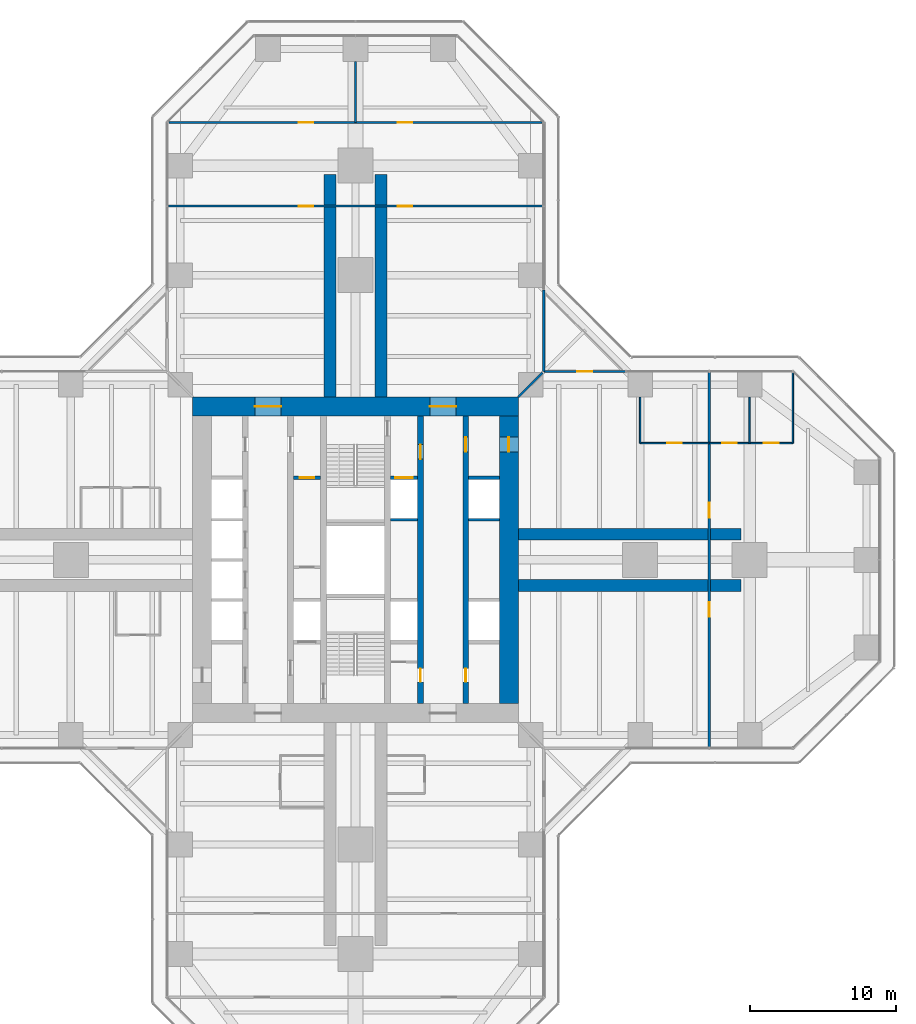
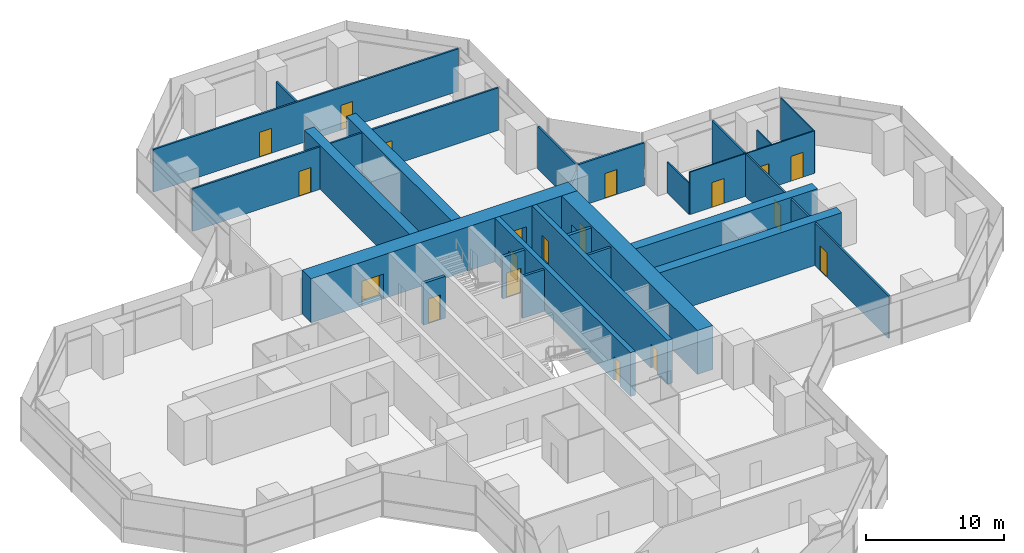
# One storey, part 19 of 22: 25 walls, 19 doors, 19 openings.
"""IFC4 building model written with IfcOpenShell, lengths in metres."""

from ifc_helpers import new_model, si_unit, direction, frame, frame_2d, origin, place, context, subcontext, project, spatial, rectangle, extrude, material, layer, layer_set, type_object, element, fill, save


model = new_model("IFC4")

# Units and contexts
model_context = context("Model", 3, precision=1e-05, world=origin(), true_north=direction((0.0, 1.0)))
body_context = subcontext(model_context, "Body", "Model", "MODEL_VIEW")
ifc_project = project(units=[si_unit("LENGTHUNIT", "METRE"), si_unit("AREAUNIT", "SQUARE_METRE"), si_unit("VOLUMEUNIT", "CUBIC_METRE"), si_unit("PLANEANGLEUNIT", "RADIAN"), si_unit("MASSUNIT", "GRAM", prefix="KILO")], contexts=[model_context])

# Site, building, storey
site_placement = place(None, origin())
site = spatial("IfcSite", under=ifc_project, at=site_placement, CompositionType="ELEMENT")
building_placement = place(site_placement, origin())
building = spatial("IfcBuilding", under=site, at=building_placement, Name="Mizan Broadcast Tower", CompositionType="ELEMENT")
storey_placement = place(building_placement, frame((0.0, 0.0, 90.300048828125)))
storey = spatial("IfcBuildingStorey", under=building, at=storey_placement, Name="L19", CompositionType="ELEMENT", Elevation=90.300048828125)

# Wall, openings, doors
ifc_material_1 = material(Name="Concrete C70/85", Category="concrete")
ifc_layer_1 = layer(ifc_material_1, 0.39990234375)
ifc_layer_set_1 = layer_set([ifc_layer_1], Name="Concrete C70/85")
wall_type_1 = type_object("IfcWallType", Name="CORE INTERNAL WALL 400", PredefinedType="SHEAR", material=ifc_layer_set_1)
wall_1_placement = place(storey_placement, frame((7.550048828125, 9.85009765625, 0.0), z_axis=(0.0, 0.0, 1.0), x_axis=(0.0, -1.0, 0.0)))
wall_1 = element("IfcWall", 1, at=wall_1_placement, inside=storey, type_object=wall_type_1, Name="Core wall CORE/XW1E", PredefinedType="SHEAR", context=body_context, shape_type="SweptSolid", body=[
    extrude(rectangle(XDim=19.7001953125, YDim=0.39990234375, at=frame_2d((9.85009765625, 0.0))), origin(), (0.0, 0.0, 1.0), 3.89990234375),
])
opening_1_placement = place(wall_1_placement, frame((1.449951171875, 0.0, 0.0)))
opening_1 = element("IfcOpeningElement", 2, at=opening_1_placement, cuts=wall_1, Name="Opening D10F", PredefinedType="OPENING", context=body_context, shape_type="SweptSolid", body=[
    extrude(rectangle(XDim=1.0, YDim=2.199951171875, at=frame_2d((0.5, 1.10009765625))), frame((0.0, 0.2099609375, 0.0), z_axis=(0.0, -1.0, 0.0), x_axis=(1.0, 0.0, 0.0)), (0.0, 0.0, 1.0), 0.419921875),
])
opening_2_placement = place(wall_1_placement, frame((17.300048828125, 0.0, 0.0)))
opening_2 = element("IfcOpeningElement", 3, at=opening_2_placement, cuts=wall_1, Name="Opening D09", PredefinedType="OPENING", context=body_context, shape_type="SweptSolid", body=[
    extrude(rectangle(XDim=0.89990234375, YDim=2.10009765625, at=frame_2d((0.449951171875, 1.050048828125))), frame((0.0, 0.2099609375, 0.0), z_axis=(0.0, -1.0, 0.0), x_axis=(1.0, 0.0, 0.0)), (0.0, 0.0, 1.0), 0.419921875),
])
ifc_material_2 = material(Name="Steel door leaf in steel frame", Category="steel")
door_type_1 = type_object("IfcDoorType", Name="FIRE DOOR 1000 FD90", OperationType="SINGLE_SWING_LEFT", PredefinedType="DOOR", material=ifc_material_2)
door_1_placement = place(opening_1_placement, origin())
door_1 = element("IfcDoor", 4, at=door_1_placement, inside=storey, type_object=door_type_1, Name="East core passage door", OperationType="SINGLE_SWING_LEFT", OverallHeight=2.199951171875, OverallWidth=1.0, PredefinedType="DOOR", context=body_context, shape_type="SweptSolid", body=[
    extrude(rectangle(XDim=1.0, YDim=2.199951171875, at=frame_2d((0.5, 1.10009765625))), frame((0.0, 0.02490234375, 0.0), z_axis=(0.0, -1.0, 0.0), x_axis=(1.0, 0.0, 0.0)), (0.0, 0.0, 1.0), 0.050048828125),
])
fill(opening_1, door_1)
ifc_material_3 = material(Name="Timber door leaf in aluminium frame", Category="wood")
door_type_2 = type_object("IfcDoorType", Name="TOILET DOOR 900", OperationType="SINGLE_SWING_LEFT", PredefinedType="DOOR", material=ifc_material_3)
door_2_placement = place(opening_2_placement, origin())
door_2 = element("IfcDoor", 5, at=door_2_placement, inside=storey, type_object=door_type_2, Name="Female WC door", OperationType="SINGLE_SWING_RIGHT", OverallHeight=2.10009765625, OverallWidth=0.89990234375, PredefinedType="DOOR", context=body_context, shape_type="SweptSolid", body=[
    extrude(rectangle(XDim=0.89990234375, YDim=2.10009765625, at=frame_2d((0.449951171875, 1.050048828125))), frame((0.0, 0.02490234375, 0.0), z_axis=(0.0, -1.0, 0.0), x_axis=(1.0, 0.0, 0.0)), (0.0, 0.0, 1.0), 0.050048828125),
])
fill(opening_2, door_2)

wall_2_placement = place(storey_placement, frame((4.449951171875, 9.85009765625, 0.0), z_axis=(0.0, 0.0, 1.0), x_axis=(0.0, -1.0, 0.0)))
wall_2 = element("IfcWall", 6, at=wall_2_placement, inside=storey, type_object=wall_type_1, Name="Core wall CORE/XWHE", PredefinedType="SHEAR", context=body_context, shape_type="SweptSolid", body=[
    extrude(rectangle(XDim=19.7001953125, YDim=0.39990234375, at=frame_2d((9.85009765625, 0.0))), origin(), (0.0, 0.0, 1.0), 3.89990234375),
])
opening_3_placement = place(wall_2_placement, frame((1.949951171875, 0.0, 0.0)))
opening_3 = element("IfcOpeningElement", 7, at=opening_3_placement, cuts=wall_2, Name="Opening D10F", PredefinedType="OPENING", context=body_context, shape_type="SweptSolid", body=[
    extrude(rectangle(XDim=1.0, YDim=2.199951171875, at=frame_2d((0.5, 1.10009765625))), frame((0.0, 0.2099609375, 0.0), z_axis=(0.0, -1.0, 0.0), x_axis=(1.0, 0.0, 0.0)), (0.0, 0.0, 1.0), 0.419921875),
])
opening_4_placement = place(wall_2_placement, frame((17.300048828125, 0.0, 0.0)))
opening_4 = element("IfcOpeningElement", 8, at=opening_4_placement, cuts=wall_2, Name="Opening D09", PredefinedType="OPENING", context=body_context, shape_type="SweptSolid", body=[
    extrude(rectangle(XDim=0.89990234375, YDim=2.10009765625, at=frame_2d((0.449951171875, 1.050048828125))), frame((0.0, 0.2099609375, 0.0), z_axis=(0.0, -1.0, 0.0), x_axis=(1.0, 0.0, 0.0)), (0.0, 0.0, 1.0), 0.419921875),
])
door_3_placement = place(opening_3_placement, origin())
door_3 = element("IfcDoor", 9, at=door_3_placement, inside=storey, type_object=door_type_1, Name="Firefighting lobby B door", OperationType="SINGLE_SWING_LEFT", OverallHeight=2.199951171875, OverallWidth=1.0, PredefinedType="DOOR", context=body_context, shape_type="SweptSolid", body=[
    extrude(rectangle(XDim=1.0, YDim=2.199951171875, at=frame_2d((0.5, 1.10009765625))), frame((0.0, 0.02490234375, 0.0), z_axis=(0.0, -1.0, 0.0), x_axis=(1.0, 0.0, 0.0)), (0.0, 0.0, 1.0), 0.050048828125),
])
fill(opening_3, door_3)
door_4_placement = place(opening_4_placement, origin())
door_4 = element("IfcDoor", 10, at=door_4_placement, inside=storey, type_object=door_type_2, Name="Cleaner's store door", OperationType="SINGLE_SWING_RIGHT", OverallHeight=2.10009765625, OverallWidth=0.89990234375, PredefinedType="DOOR", context=body_context, shape_type="SweptSolid", body=[
    extrude(rectangle(XDim=0.89990234375, YDim=2.10009765625, at=frame_2d((0.449951171875, 1.050048828125))), frame((0.0, 0.02490234375, 0.0), z_axis=(0.0, -1.0, 0.0), x_axis=(1.0, 0.0, 0.0)), (0.0, 0.0, 1.0), 0.050048828125),
])
fill(opening_4, door_4)

ifc_material_4 = material(Name="Concrete C70/85", Category="concrete")
ifc_layer_2 = layer(ifc_material_4, 1.300048828125)
ifc_layer_set_2 = layer_set([ifc_layer_2], Name="Concrete C70/85")
wall_type_2 = type_object("IfcWallType", Name="CORE WALL 1300", PredefinedType="SHEAR", material=ifc_layer_set_2)
wall_3_placement = place(storey_placement, frame((-11.14990234375, 10.5, 0.0), z_axis=(0.0, 0.0, 1.0), x_axis=(1.0, 0.0, 0.0)))
wall_3 = element("IfcWall", 11, at=wall_3_placement, inside=storey, type_object=wall_type_2, Name="Core wall N L19", PredefinedType="SHEAR", context=body_context, shape_type="SweptSolid", body=[
    extrude(rectangle(XDim=22.2998046875, YDim=1.300048828125, at=frame_2d((11.14990234375, 0.0))), origin(), (0.0, 0.0, 1.0), 3.89990234375),
])
opening_5_placement = place(wall_3_placement, frame((4.25, 0.0, 0.0)))
opening_5 = element("IfcOpeningElement", 12, at=opening_5_placement, cuts=wall_3, Name="Opening D18F", PredefinedType="OPENING", context=body_context, shape_type="SweptSolid", body=[
    extrude(rectangle(XDim=1.800048828125, YDim=2.199951171875, at=frame_2d((0.89990234375, 1.10009765625))), frame((0.0, 0.659912109375, 0.0), z_axis=(0.0, -1.0, 0.0), x_axis=(1.0, 0.0, 0.0)), (0.0, 0.0, 1.0), 1.320068359375),
])
opening_6_placement = place(wall_3_placement, frame((16.25, 0.0, 0.0)))
opening_6 = element("IfcOpeningElement", 13, at=opening_6_placement, cuts=wall_3, Name="Opening D18F", PredefinedType="OPENING", context=body_context, shape_type="SweptSolid", body=[
    extrude(rectangle(XDim=1.800048828125, YDim=2.199951171875, at=frame_2d((0.89990234375, 1.10009765625))), frame((0.0, 0.659912109375, 0.0), z_axis=(0.0, -1.0, 0.0), x_axis=(1.0, 0.0, 0.0)), (0.0, 0.0, 1.0), 1.320068359375),
])
ifc_material_5 = material(Name="Steel door leaf in steel frame", Category="steel")
door_type_3 = type_object("IfcDoorType", Name="LOBBY DOUBLE DOOR 1800 FD90", OperationType="DOUBLE_DOOR_DOUBLE_SWING", PredefinedType="DOOR", material=ifc_material_5)
door_5_placement = place(opening_5_placement, origin())
door_5 = element("IfcDoor", 14, at=door_5_placement, inside=storey, type_object=door_type_3, Name="West lift lobby north door", OperationType="DOUBLE_DOOR_DOUBLE_SWING", OverallHeight=2.199951171875, OverallWidth=1.800048828125, PredefinedType="DOOR", context=body_context, shape_type="SweptSolid", body=[
    extrude(rectangle(XDim=1.800048828125, YDim=2.199951171875, at=frame_2d((0.89990234375, 1.10009765625))), frame((0.0, 0.02490234375, 0.0), z_axis=(0.0, -1.0, 0.0), x_axis=(1.0, 0.0, 0.0)), (0.0, 0.0, 1.0), 0.050048828125),
])
fill(opening_5, door_5)
door_6_placement = place(opening_6_placement, origin())
door_6 = element("IfcDoor", 15, at=door_6_placement, inside=storey, type_object=door_type_3, Name="East lift lobby north door", OperationType="DOUBLE_DOOR_DOUBLE_SWING", OverallHeight=2.199951171875, OverallWidth=1.800048828125, PredefinedType="DOOR", context=body_context, shape_type="SweptSolid", body=[
    extrude(rectangle(XDim=1.800048828125, YDim=2.199951171875, at=frame_2d((0.89990234375, 1.10009765625))), frame((0.0, 0.02490234375, 0.0), z_axis=(0.0, -1.0, 0.0), x_axis=(1.0, 0.0, 0.0)), (0.0, 0.0, 1.0), 0.050048828125),
])
fill(opening_6, door_6)

# Wall, opening, door
wall_4_placement = place(storey_placement, frame((10.5, -9.85009765625, 0.0), z_axis=(0.0, 0.0, 1.0), x_axis=(0.0, 1.0, 0.0)))
wall_4 = element("IfcWall", 16, at=wall_4_placement, inside=storey, type_object=wall_type_2, Name="Core wall E L19", PredefinedType="SHEAR", context=body_context, shape_type="SweptSolid", body=[
    extrude(rectangle(XDim=19.7001953125, YDim=1.300048828125, at=frame_2d((9.85009765625, 0.0))), origin(), (0.0, 0.0, 1.0), 3.89990234375),
])
opening_7_placement = place(wall_4_placement, frame((17.25, 0.0, 0.0)))
opening_7 = element("IfcOpeningElement", 17, at=opening_7_placement, cuts=wall_4, Name="Opening D10F", PredefinedType="OPENING", context=body_context, shape_type="SweptSolid", body=[
    extrude(rectangle(XDim=1.0, YDim=2.199951171875, at=frame_2d((0.5, 1.10009765625))), frame((0.0, 0.659912109375, 0.0), z_axis=(0.0, -1.0, 0.0), x_axis=(1.0, 0.0, 0.0)), (0.0, 0.0, 1.0), 1.320068359375),
])
door_7_placement = place(opening_7_placement, origin())
door_7 = element("IfcDoor", 18, at=door_7_placement, inside=storey, type_object=door_type_1, Name="East core passage arm door", OperationType="SINGLE_SWING_RIGHT", OverallHeight=2.199951171875, OverallWidth=1.0, PredefinedType="DOOR", context=body_context, shape_type="SweptSolid", body=[
    extrude(rectangle(XDim=1.0, YDim=2.199951171875, at=frame_2d((0.5, 1.10009765625))), frame((0.0, 0.02490234375, 0.0), z_axis=(0.0, -1.0, 0.0), x_axis=(1.0, 0.0, 0.0)), (0.0, 0.0, 1.0), 0.050048828125),
])
fill(opening_7, door_7)

ifc_material_6 = material(Name="Aluminium framed glazed screen", Category="aluminium")
ifc_layer_3 = layer(ifc_material_6, 0.159912109375)
ifc_layer_set_3 = layer_set([ifc_layer_3], Name="Aluminium framed glazed screen")
wall_type_3 = type_object("IfcWallType", Name="GLAZED SCREEN WALL 160", PredefinedType="SOLIDWALL", material=ifc_layer_set_3)
wall_5_placement = place(storey_placement, frame((18.5, 12.89990234375, 0.0), z_axis=(0.0, 0.0, 1.0), x_axis=(-1.0, 0.0, 0.0)))
wall_5 = element("IfcWall", 19, at=wall_5_placement, inside=storey, type_object=wall_type_3, Name="Winter garden screen L19 E", PredefinedType="SOLIDWALL", context=body_context, shape_type="SweptSolid", body=[
    extrude(rectangle(XDim=5.60009765625, YDim=0.159912109375, at=frame_2d((2.800048828125, 0.0))), origin(), (0.0, 0.0, 1.0), 3.77001953125),
])
opening_8_placement = place(wall_5_placement, frame((2.300048828125, 0.0, 0.0)))
opening_8 = element("IfcOpeningElement", 20, at=opening_8_placement, cuts=wall_5, Name="Opening WGD", PredefinedType="OPENING", context=body_context, shape_type="SweptSolid", body=[
    extrude(rectangle(XDim=1.0, YDim=2.199951171875, at=frame_2d((0.5, 1.10009765625))), frame((0.0, 0.08984375, 0.0), z_axis=(0.0, -1.0, 0.0), x_axis=(1.0, 0.0, 0.0)), (0.0, 0.0, 1.0), 0.179931640625),
])
ifc_material_7 = material(Name="Aluminium framed glazed door", Category="aluminium")
door_type_4 = type_object("IfcDoorType", Name="WINTER GARDEN DOOR 1000 GLAZED", OperationType="SINGLE_SWING_LEFT", PredefinedType="DOOR", material=ifc_material_7)
door_8_placement = place(opening_8_placement, origin())
door_8 = element("IfcDoor", 21, at=door_8_placement, inside=storey, type_object=door_type_4, Name="Winter garden door L19 E", OperationType="SINGLE_SWING_RIGHT", OverallHeight=2.199951171875, OverallWidth=1.0, PredefinedType="DOOR", context=body_context, shape_type="SweptSolid", body=[
    extrude(rectangle(XDim=1.0, YDim=2.199951171875, at=frame_2d((0.5, 1.10009765625))), frame((0.0, 0.02490234375, 0.0), z_axis=(0.0, -1.0, 0.0), x_axis=(1.0, 0.0, 0.0)), (0.0, 0.0, 1.0), 0.050048828125),
])
fill(opening_8, door_8)

# Walls
wall_6_placement = place(storey_placement, frame((12.89990234375, 12.89990234375, 0.0), z_axis=(0.0, 0.0, 1.0), x_axis=(0.0, 1.0, 0.0)))
element("IfcWall", 22, at=wall_6_placement, inside=storey, type_object=wall_type_3, Name="Winter garden screen L19 N", PredefinedType="SOLIDWALL", context=body_context, shape_type="SweptSolid", body=[
    extrude(rectangle(XDim=5.60009765625, YDim=0.159912109375, at=frame_2d((2.800048828125, 0.0))), origin(), (0.0, 0.0, 1.0), 3.77001953125),
])
ifc_material_8 = material(Name="Concrete blockwork", Category="masonry")
ifc_layer_4 = layer(ifc_material_8, 0.199951171875)
ifc_layer_set_4 = layer_set([ifc_layer_4], Name="Concrete blockwork")
wall_type_4 = type_object("IfcWallType", Name="LIFT SHAFT WALL 200", PredefinedType="SOLIDWALL", material=ifc_layer_set_4)
wall_7_placement = place(storey_placement, frame((2.39990234375, 2.75, 0.0), z_axis=(0.0, 0.0, 1.0), x_axis=(1.0, 0.0, 0.0)))
element("IfcWall", 23, at=wall_7_placement, inside=storey, type_object=wall_type_4, Name="Lift shaft wall CORE/SE2-3", PredefinedType="SOLIDWALL", context=body_context, shape_type="SweptSolid", body=[
    extrude(rectangle(XDim=1.85009765625, YDim=0.199951171875, at=frame_2d((0.925048828125, 0.0))), origin(), (0.0, 0.0, 1.0), 3.699951171875),
])
wall_8_placement = place(storey_placement, frame((7.75, 2.75, 0.0), z_axis=(0.0, 0.0, 1.0), x_axis=(1.0, 0.0, 0.0)))
element("IfcWall", 24, at=wall_8_placement, inside=storey, type_object=wall_type_4, Name="Lift shaft wall CORE/SE1-3", PredefinedType="SOLIDWALL", context=body_context, shape_type="SweptSolid", body=[
    extrude(rectangle(XDim=2.10009765625, YDim=0.199951171875, at=frame_2d((1.050048828125, 0.0))), origin(), (0.0, 0.0, 1.0), 3.699951171875),
])

# Wall, opening, door
ifc_material_9 = material(Name="Concrete blockwork", Category="masonry")
ifc_layer_5 = layer(ifc_material_9, 0.25)
ifc_layer_set_5 = layer_set([ifc_layer_5], Name="Concrete blockwork")
wall_type_5 = type_object("IfcWallType", Name="LOBBY ENCLOSURE WALL 250", PredefinedType="SOLIDWALL", material=ifc_layer_set_5)
wall_9_placement = place(storey_placement, frame((-4.25, 5.625, 0.0), z_axis=(0.0, 0.0, 1.0), x_axis=(1.0, 0.0, 0.0)))
wall_9 = element("IfcWall", 25, at=wall_9_placement, inside=storey, type_object=wall_type_5, Name="Lobby enclosure wall CORE/BW2N", PredefinedType="SOLIDWALL", context=body_context, shape_type="SweptSolid", body=[
    extrude(rectangle(XDim=1.85009765625, YDim=0.25, at=frame_2d((0.925048828125, 0.0))), origin(), (0.0, 0.0, 1.0), 3.699951171875),
])
opening_9_placement = place(wall_9_placement, frame((0.425048828125, 0.0, 0.0)))
opening_9 = element("IfcOpeningElement", 26, at=opening_9_placement, cuts=wall_9, Name="Opening D10F", PredefinedType="OPENING", context=body_context, shape_type="SweptSolid", body=[
    extrude(rectangle(XDim=1.0, YDim=2.199951171875, at=frame_2d((0.5, 1.10009765625))), frame((0.0, 0.135009765625, 0.0), z_axis=(0.0, -1.0, 0.0), x_axis=(1.0, 0.0, 0.0)), (0.0, 0.0, 1.0), 0.27001953125),
])
door_9_placement = place(opening_9_placement, origin())
door_9 = element("IfcDoor", 27, at=door_9_placement, inside=storey, type_object=door_type_1, Name="Accessible shower room door", OperationType="SINGLE_SWING_RIGHT", OverallHeight=2.199951171875, OverallWidth=1.0, PredefinedType="DOOR", context=body_context, shape_type="SweptSolid", body=[
    extrude(rectangle(XDim=1.0, YDim=2.199951171875, at=frame_2d((0.5, 1.10009765625))), frame((0.0, 0.02490234375, 0.0), z_axis=(0.0, -1.0, 0.0), x_axis=(1.0, 0.0, 0.0)), (0.0, 0.0, 1.0), 0.050048828125),
])
fill(opening_9, door_9)

wall_10_placement = place(storey_placement, frame((2.39990234375, 5.625, 0.0), z_axis=(0.0, 0.0, 1.0), x_axis=(1.0, 0.0, 0.0)))
wall_10 = element("IfcWall", 28, at=wall_10_placement, inside=storey, type_object=wall_type_5, Name="Lobby enclosure wall CORE/BE2N", PredefinedType="SOLIDWALL", context=body_context, shape_type="SweptSolid", body=[
    extrude(rectangle(XDim=1.85009765625, YDim=0.25, at=frame_2d((0.925048828125, 0.0))), origin(), (0.0, 0.0, 1.0), 3.699951171875),
])
opening_10_placement = place(wall_10_placement, frame((0.324951171875, 0.0, 0.0)))
opening_10 = element("IfcOpeningElement", 29, at=opening_10_placement, cuts=wall_10, Name="Opening LDF", PredefinedType="OPENING", context=body_context, shape_type="SweptSolid", body=[
    extrude(rectangle(XDim=1.199951171875, YDim=2.199951171875, at=frame_2d((0.60009765625, 1.10009765625))), frame((0.0, 0.135009765625, 0.0), z_axis=(0.0, -1.0, 0.0), x_axis=(1.0, 0.0, 0.0)), (0.0, 0.0, 1.0), 0.27001953125),
])
ifc_material_10 = material(Name="Steel door leaf in steel frame", Category="steel")
door_type_5 = type_object("IfcDoorType", Name="FIREFIGHTING LIFT LANDING DOOR 1200", OperationType="SLIDING_TO_LEFT", PredefinedType="DOOR", material=ifc_material_10)
door_10_placement = place(opening_10_placement, origin())
door_10 = element("IfcDoor", 30, at=door_10_placement, inside=storey, type_object=door_type_5, Name="Landing door FF2", OperationType="SLIDING_TO_LEFT", OverallHeight=2.199951171875, OverallWidth=1.199951171875, PredefinedType="DOOR", context=body_context, shape_type="SweptSolid", body=[
    extrude(rectangle(XDim=1.199951171875, YDim=2.199951171875, at=frame_2d((0.60009765625, 1.10009765625))), frame((0.0, 0.02490234375, 0.0), z_axis=(0.0, -1.0, 0.0), x_axis=(1.0, 0.0, 0.0)), (0.0, 0.0, 1.0), 0.050048828125),
])
fill(opening_10, door_10)

# Wall
wall_11_placement = place(storey_placement, frame((7.75, 5.625, 0.0), z_axis=(0.0, 0.0, 1.0), x_axis=(1.0, 0.0, 0.0)))
element("IfcWall", 31, at=wall_11_placement, inside=storey, type_object=wall_type_5, Name="Lobby enclosure wall CORE/BE1N", PredefinedType="SOLIDWALL", context=body_context, shape_type="SweptSolid", body=[
    extrude(rectangle(XDim=2.10009765625, YDim=0.25, at=frame_2d((1.050048828125, 0.0))), origin(), (0.0, 0.0, 1.0), 3.699951171875),
])

# Wall, openings, doors
ifc_material_11 = material(Name="Gypsum board on steel studs", Category="steel")
ifc_layer_6 = layer(ifc_material_11, 0.14990234375)
ifc_layer_set_6 = layer_set([ifc_layer_6], Name="Gypsum board on steel studs")
wall_type_6 = type_object("IfcWallType", Name="PARTITION 150", PredefinedType="PARTITIONING", material=ifc_layer_set_6)
wall_12_placement = place(storey_placement, frame((24.22900390625, -12.820068359375, 0.0), z_axis=(0.0, 0.0, 1.0), x_axis=(0.0, 1.0, 0.0)))
wall_12 = element("IfcWall", 32, at=wall_12_placement, inside=storey, type_object=wall_type_6, Name="Partition PT/EX1", PredefinedType="PARTITIONING", context=body_context, shape_type="SweptSolid", body=[
    extrude(rectangle(XDim=25.64013671875, YDim=0.14990234375, at=frame_2d((12.820068359375, 0.0))), origin(), (0.0, 0.0, 1.0), 3.77001953125),
])
opening_11_placement = place(wall_12_placement, frame((15.719970703125, 0.0, 0.0)))
opening_11 = element("IfcOpeningElement", 33, at=opening_11_placement, cuts=wall_12, Name="Opening D10", PredefinedType="OPENING", context=body_context, shape_type="SweptSolid", body=[
    extrude(rectangle(XDim=1.0, YDim=2.199951171875, at=frame_2d((0.5, 1.10009765625))), frame((0.0, 0.0849609375, 0.0), z_axis=(0.0, -1.0, 0.0), x_axis=(1.0, 0.0, 0.0)), (0.0, 0.0, 1.0), 0.169921875),
])
opening_12_placement = place(wall_12_placement, frame((8.919921875, 0.0, 0.0)))
opening_12 = element("IfcOpeningElement", 34, at=opening_12_placement, cuts=wall_12, Name="Opening D10", PredefinedType="OPENING", context=body_context, shape_type="SweptSolid", body=[
    extrude(rectangle(XDim=1.0, YDim=2.199951171875, at=frame_2d((0.5, 1.10009765625))), frame((0.0, 0.0849609375, 0.0), z_axis=(0.0, -1.0, 0.0), x_axis=(1.0, 0.0, 0.0)), (0.0, 0.0, 1.0), 0.169921875),
])
ifc_material_12 = material(Name="Timber door leaf in aluminium frame", Category="wood")
door_type_6 = type_object("IfcDoorType", Name="ROOM DOOR 1000", OperationType="SINGLE_SWING_LEFT", PredefinedType="DOOR", material=ifc_material_12)
door_11_placement = place(opening_11_placement, origin())
door_11 = element("IfcDoor", 35, at=door_11_placement, inside=storey, type_object=door_type_6, Name="Open office door", OperationType="SINGLE_SWING_RIGHT", OverallHeight=2.199951171875, OverallWidth=1.0, PredefinedType="DOOR", context=body_context, shape_type="SweptSolid", body=[
    extrude(rectangle(XDim=1.0, YDim=2.199951171875, at=frame_2d((0.5, 1.10009765625))), frame((0.0, 0.02490234375, 0.0), z_axis=(0.0, -1.0, 0.0), x_axis=(1.0, 0.0, 0.0)), (0.0, 0.0, 1.0), 0.050048828125),
])
fill(opening_11, door_11)
door_12_placement = place(opening_12_placement, origin())
door_12 = element("IfcDoor", 36, at=door_12_placement, inside=storey, type_object=door_type_6, Name="Open office door", OperationType="SINGLE_SWING_LEFT", OverallHeight=2.199951171875, OverallWidth=1.0, PredefinedType="DOOR", context=body_context, shape_type="SweptSolid", body=[
    extrude(rectangle(XDim=1.0, YDim=2.199951171875, at=frame_2d((0.5, 1.10009765625))), frame((0.0, 0.02490234375, 0.0), z_axis=(0.0, -1.0, 0.0), x_axis=(1.0, 0.0, 0.0)), (0.0, 0.0, 1.0), 0.050048828125),
])
fill(opening_12, door_12)

wall_13_placement = place(storey_placement, frame((12.820068359375, 24.22900390625, 0.0), z_axis=(0.0, 0.0, 1.0), x_axis=(-1.0, 0.0, 0.0)))
wall_13 = element("IfcWall", 37, at=wall_13_placement, inside=storey, type_object=wall_type_6, Name="Partition PT/NX1", PredefinedType="PARTITIONING", context=body_context, shape_type="SweptSolid", body=[
    extrude(rectangle(XDim=25.64013671875, YDim=0.14990234375, at=frame_2d((12.820068359375, 0.0))), origin(), (0.0, 0.0, 1.0), 3.77001953125),
])
opening_13_placement = place(wall_13_placement, frame((15.719970703125, 0.0, 0.0)))
opening_13 = element("IfcOpeningElement", 38, at=opening_13_placement, cuts=wall_13, Name="Opening D10", PredefinedType="OPENING", context=body_context, shape_type="SweptSolid", body=[
    extrude(rectangle(XDim=1.0, YDim=2.199951171875, at=frame_2d((0.5, 1.10009765625))), frame((0.0, 0.0849609375, 0.0), z_axis=(0.0, -1.0, 0.0), x_axis=(1.0, 0.0, 0.0)), (0.0, 0.0, 1.0), 0.169921875),
])
opening_14_placement = place(wall_13_placement, frame((8.919921875, 0.0, 0.0)))
opening_14 = element("IfcOpeningElement", 39, at=opening_14_placement, cuts=wall_13, Name="Opening D10", PredefinedType="OPENING", context=body_context, shape_type="SweptSolid", body=[
    extrude(rectangle(XDim=1.0, YDim=2.199951171875, at=frame_2d((0.5, 1.10009765625))), frame((0.0, 0.0849609375, 0.0), z_axis=(0.0, -1.0, 0.0), x_axis=(1.0, 0.0, 0.0)), (0.0, 0.0, 1.0), 0.169921875),
])
door_13_placement = place(opening_13_placement, origin())
door_13 = element("IfcDoor", 40, at=door_13_placement, inside=storey, type_object=door_type_6, Name="Open office door", OperationType="SINGLE_SWING_RIGHT", OverallHeight=2.199951171875, OverallWidth=1.0, PredefinedType="DOOR", context=body_context, shape_type="SweptSolid", body=[
    extrude(rectangle(XDim=1.0, YDim=2.199951171875, at=frame_2d((0.5, 1.10009765625))), frame((0.0, 0.02490234375, 0.0), z_axis=(0.0, -1.0, 0.0), x_axis=(1.0, 0.0, 0.0)), (0.0, 0.0, 1.0), 0.050048828125),
])
fill(opening_13, door_13)
door_14_placement = place(opening_14_placement, origin())
door_14 = element("IfcDoor", 41, at=door_14_placement, inside=storey, type_object=door_type_6, Name="Open office door", OperationType="SINGLE_SWING_LEFT", OverallHeight=2.199951171875, OverallWidth=1.0, PredefinedType="DOOR", context=body_context, shape_type="SweptSolid", body=[
    extrude(rectangle(XDim=1.0, YDim=2.199951171875, at=frame_2d((0.5, 1.10009765625))), frame((0.0, 0.02490234375, 0.0), z_axis=(0.0, -1.0, 0.0), x_axis=(1.0, 0.0, 0.0)), (0.0, 0.0, 1.0), 0.050048828125),
])
fill(opening_14, door_14)

wall_14_placement = place(storey_placement, frame((12.786376953125, 29.958984375, 0.0), z_axis=(0.0, 0.0, 1.0), x_axis=(-1.0, 0.0, 0.0)))
wall_14 = element("IfcWall", 42, at=wall_14_placement, inside=storey, type_object=wall_type_6, Name="Partition PT/NX2", PredefinedType="PARTITIONING", context=body_context, shape_type="SweptSolid", body=[
    extrude(rectangle(XDim=25.57275390625, YDim=0.14990234375, at=frame_2d((12.786376953125, 0.0))), origin(), (0.0, 0.0, 1.0), 3.77001953125),
])
opening_15_placement = place(wall_14_placement, frame((15.6865234375, 0.0, 0.0)))
opening_15 = element("IfcOpeningElement", 43, at=opening_15_placement, cuts=wall_14, Name="Opening D10", PredefinedType="OPENING", context=body_context, shape_type="SweptSolid", body=[
    extrude(rectangle(XDim=1.0, YDim=2.199951171875, at=frame_2d((0.5, 1.10009765625))), frame((0.0, 0.0849609375, 0.0), z_axis=(0.0, -1.0, 0.0), x_axis=(1.0, 0.0, 0.0)), (0.0, 0.0, 1.0), 0.169921875),
])
opening_16_placement = place(wall_14_placement, frame((8.886474609375, 0.0, 0.0)))
opening_16 = element("IfcOpeningElement", 44, at=opening_16_placement, cuts=wall_14, Name="Opening D10", PredefinedType="OPENING", context=body_context, shape_type="SweptSolid", body=[
    extrude(rectangle(XDim=1.0, YDim=2.199951171875, at=frame_2d((0.5, 1.10009765625))), frame((0.0, 0.0849609375, 0.0), z_axis=(0.0, -1.0, 0.0), x_axis=(1.0, 0.0, 0.0)), (0.0, 0.0, 1.0), 0.169921875),
])
door_15_placement = place(opening_15_placement, origin())
door_15 = element("IfcDoor", 45, at=door_15_placement, inside=storey, type_object=door_type_6, Name="Open office door", OperationType="SINGLE_SWING_RIGHT", OverallHeight=2.199951171875, OverallWidth=1.0, PredefinedType="DOOR", context=body_context, shape_type="SweptSolid", body=[
    extrude(rectangle(XDim=1.0, YDim=2.199951171875, at=frame_2d((0.5, 1.10009765625))), frame((0.0, 0.02490234375, 0.0), z_axis=(0.0, -1.0, 0.0), x_axis=(1.0, 0.0, 0.0)), (0.0, 0.0, 1.0), 0.050048828125),
])
fill(opening_15, door_15)
door_16_placement = place(opening_16_placement, origin())
door_16 = element("IfcDoor", 46, at=door_16_placement, inside=storey, type_object=door_type_6, Name="Open office door", OperationType="SINGLE_SWING_LEFT", OverallHeight=2.199951171875, OverallWidth=1.0, PredefinedType="DOOR", context=body_context, shape_type="SweptSolid", body=[
    extrude(rectangle(XDim=1.0, YDim=2.199951171875, at=frame_2d((0.5, 1.10009765625))), frame((0.0, 0.02490234375, 0.0), z_axis=(0.0, -1.0, 0.0), x_axis=(1.0, 0.0, 0.0)), (0.0, 0.0, 1.0), 0.050048828125),
])
fill(opening_16, door_16)

# Walls
wall_15_placement = place(storey_placement, frame((0.0, 29.958984375, 0.0), z_axis=(0.0, 0.0, 1.0), x_axis=(0.0, 1.0, 0.0)))
element("IfcWall", 47, at=wall_15_placement, inside=storey, type_object=wall_type_6, Name="Partition PT/NES", PredefinedType="PARTITIONING", context=body_context, shape_type="SweptSolid", body=[
    extrude(rectangle(XDim=4.19091796875, YDim=0.14990234375, at=frame_2d((2.095458984375, 0.0))), origin(), (0.0, 0.0, 1.0), 2.77001953125),
])
wall_16_placement = place(storey_placement, frame((11.14990234375, 11.14990234375, 0.0), z_axis=(0.0, 0.0, 1.0), x_axis=(0.707106781187, 0.707106781187, 0.0)))
element("IfcWall", 48, at=wall_16_placement, inside=storey, type_object=wall_type_6, Name="Partition PT/DGEN", PredefinedType="PARTITIONING", context=body_context, shape_type="SweptSolid", body=[
    extrude(rectangle(XDim=2.362060546875, YDim=0.14990234375, at=frame_2d((1.18115234375, 0.0))), origin(), (0.0, 0.0, 1.0), 3.219970703125),
])

# Wall, opening, door
ifc_material_13 = material(Name="Glazed aluminium partition on aluminium track", Category="aluminium")
ifc_layer_7 = layer(ifc_material_13, 0.10009765625)
ifc_layer_set_7 = layer_set([ifc_layer_7], Name="Glazed aluminium partition on aluminium track")
wall_type_7 = type_object("IfcWallType", Name="PARTITION GLAZED OFFICE FRONT 100", PredefinedType="PARTITIONING", material=ifc_layer_set_7)
wall_17_placement = place(storey_placement, frame((19.5, 8.0, 0.0), z_axis=(0.0, 0.0, 1.0), x_axis=(1.0, 0.0, 0.0)))
wall_17 = element("IfcWall", 49, at=wall_17_placement, inside=storey, type_object=wall_type_7, Name="Glazed office front PT/ECP0", PredefinedType="PARTITIONING", context=body_context, shape_type="SweptSolid", body=[
    extrude(rectangle(XDim=4.72900390625, YDim=0.10009765625, at=frame_2d((2.364501953125, 0.0))), origin(), (0.0, 0.0, 1.0), 3.77001953125),
])
opening_17_placement = place(wall_17_placement, frame((1.864501953125, 0.0, 0.0)))
opening_17 = element("IfcOpeningElement", 50, at=opening_17_placement, cuts=wall_17, Name="Opening D10O", PredefinedType="OPENING", context=body_context, shape_type="SweptSolid", body=[
    extrude(rectangle(XDim=1.0, YDim=2.199951171875, at=frame_2d((0.5, 1.10009765625))), frame((0.0, 0.06005859375, 0.0), z_axis=(0.0, -1.0, 0.0), x_axis=(1.0, 0.0, 0.0)), (0.0, 0.0, 1.0), 0.1201171875),
])
ifc_material_14 = material(Name="Timber door leaf in aluminium frame", Category="wood")
door_type_7 = type_object("IfcDoorType", Name="OFFICE DOOR 1000 GLAZED", OperationType="SINGLE_SWING_LEFT", PredefinedType="DOOR", material=ifc_material_14)
door_17_placement = place(opening_17_placement, origin())
door_17 = element("IfcDoor", 51, at=door_17_placement, inside=storey, type_object=door_type_7, Name="Sales manager's office door", OperationType="SINGLE_SWING_LEFT", OverallHeight=2.199951171875, OverallWidth=1.0, PredefinedType="DOOR", context=body_context, shape_type="SweptSolid", body=[
    extrude(rectangle(XDim=1.0, YDim=2.199951171875, at=frame_2d((0.5, 1.10009765625))), frame((0.0, 0.02490234375, 0.0), z_axis=(0.0, -1.0, 0.0), x_axis=(1.0, 0.0, 0.0)), (0.0, 0.0, 1.0), 0.050048828125),
])
fill(opening_17, door_17)

# Wall, openings, doors
wall_18_placement = place(storey_placement, frame((24.22900390625, 8.0, 0.0), z_axis=(0.0, 0.0, 1.0), x_axis=(1.0, 0.0, 0.0)))
wall_18 = element("IfcWall", 52, at=wall_18_placement, inside=storey, type_object=wall_type_7, Name="Glazed office front PT/ECP1", PredefinedType="PARTITIONING", context=body_context, shape_type="SweptSolid", body=[
    extrude(rectangle(XDim=5.72998046875, YDim=0.10009765625, at=frame_2d((2.864990234375, 0.0))), origin(), (0.0, 0.0, 1.0), 3.77001953125),
])
opening_18_placement = place(wall_18_placement, frame((0.885498046875, 0.0, 0.0)))
opening_18 = element("IfcOpeningElement", 53, at=opening_18_placement, cuts=wall_18, Name="Opening D10O", PredefinedType="OPENING", context=body_context, shape_type="SweptSolid", body=[
    extrude(rectangle(XDim=1.0, YDim=2.199951171875, at=frame_2d((0.5, 1.10009765625))), frame((0.0, 0.06005859375, 0.0), z_axis=(0.0, -1.0, 0.0), x_axis=(1.0, 0.0, 0.0)), (0.0, 0.0, 1.0), 0.1201171875),
])
opening_19_placement = place(wall_18_placement, frame((3.75048828125, 0.0, 0.0)))
opening_19 = element("IfcOpeningElement", 54, at=opening_19_placement, cuts=wall_18, Name="Opening D10O", PredefinedType="OPENING", context=body_context, shape_type="SweptSolid", body=[
    extrude(rectangle(XDim=1.0, YDim=2.199951171875, at=frame_2d((0.5, 1.10009765625))), frame((0.0, 0.06005859375, 0.0), z_axis=(0.0, -1.0, 0.0), x_axis=(1.0, 0.0, 0.0)), (0.0, 0.0, 1.0), 0.1201171875),
])
door_18_placement = place(opening_18_placement, origin())
door_18 = element("IfcDoor", 55, at=door_18_placement, inside=storey, type_object=door_type_7, Name="Sales manager's office door", OperationType="SINGLE_SWING_LEFT", OverallHeight=2.199951171875, OverallWidth=1.0, PredefinedType="DOOR", context=body_context, shape_type="SweptSolid", body=[
    extrude(rectangle(XDim=1.0, YDim=2.199951171875, at=frame_2d((0.5, 1.10009765625))), frame((0.0, 0.02490234375, 0.0), z_axis=(0.0, -1.0, 0.0), x_axis=(1.0, 0.0, 0.0)), (0.0, 0.0, 1.0), 0.050048828125),
])
fill(opening_18, door_18)
door_19_placement = place(opening_19_placement, origin())
door_19 = element("IfcDoor", 56, at=door_19_placement, inside=storey, type_object=door_type_7, Name="Sales manager's office door", OperationType="SINGLE_SWING_RIGHT", OverallHeight=2.199951171875, OverallWidth=1.0, PredefinedType="DOOR", context=body_context, shape_type="SweptSolid", body=[
    extrude(rectangle(XDim=1.0, YDim=2.199951171875, at=frame_2d((0.5, 1.10009765625))), frame((0.0, 0.02490234375, 0.0), z_axis=(0.0, -1.0, 0.0), x_axis=(1.0, 0.0, 0.0)), (0.0, 0.0, 1.0), 0.050048828125),
])
fill(opening_19, door_19)

# Walls
wall_19_placement = place(storey_placement, frame((19.5, 8.0, 0.0), z_axis=(0.0, 0.0, 1.0), x_axis=(0.0, 1.0, 0.0)))
element("IfcWall", 57, at=wall_19_placement, inside=storey, type_object=wall_type_7, Name="Glazed office front PT/EQP1950", PredefinedType="PARTITIONING", context=body_context, shape_type="SweptSolid", body=[
    extrude(rectangle(XDim=3.14990234375, YDim=0.10009765625, at=frame_2d((1.574951171875, 0.0))), origin(), (0.0, 0.0, 1.0), 2.77001953125),
])
wall_20_placement = place(storey_placement, frame((27.0, 8.0, 0.0), z_axis=(0.0, 0.0, 1.0), x_axis=(0.0, 1.0, 0.0)))
element("IfcWall", 58, at=wall_20_placement, inside=storey, type_object=wall_type_7, Name="Glazed office front PT/EQP2700", PredefinedType="PARTITIONING", context=body_context, shape_type="SweptSolid", body=[
    extrude(rectangle(XDim=3.14990234375, YDim=0.10009765625, at=frame_2d((1.574951171875, 0.0))), origin(), (0.0, 0.0, 1.0), 2.969970703125),
])
wall_21_placement = place(storey_placement, frame((29.958984375, 8.0, 0.0), z_axis=(0.0, 0.0, 1.0), x_axis=(0.0, 1.0, 0.0)))
element("IfcWall", 59, at=wall_21_placement, inside=storey, type_object=wall_type_7, Name="Glazed office front PT/EQP2996", PredefinedType="PARTITIONING", context=body_context, shape_type="SweptSolid", body=[
    extrude(rectangle(XDim=4.820068359375, YDim=0.10009765625, at=frame_2d((2.41015625, 0.0))), origin(), (0.0, 0.0, 1.0), 3.77001953125),
])
ifc_material_15 = material(Name="Concrete C70/85", Category="concrete")
ifc_layer_8 = layer(ifc_material_15, 0.800048828125)
ifc_layer_set_8 = layer_set([ifc_layer_8], Name="Concrete C70/85")
wall_type_8 = type_object("IfcWallType", Name="SPINE WALL 800", PredefinedType="SHEAR", material=ifc_layer_set_8)
for number, where, z_axis, x_axis, name in (
    (60, (11.14990234375, -1.75, 0.0), (0.0, 0.0, 1.0), (1.0, 0.0, 0.0), "Spine wall ER L19"),
    (61, (11.14990234375, 1.75, 0.0), (0.0, 0.0, 1.0), (1.0, 0.0, 0.0), "Spine wall EL L19"),
    (62, (1.75, 11.14990234375, 0.0), (0.0, 0.0, 1.0), (0.0, 1.0, 0.0), "Spine wall NR L19"),
    (63, (-1.75, 11.14990234375, 0.0), (0.0, 0.0, 1.0), (0.0, 1.0, 0.0), "Spine wall NL L19"),
):
    element("IfcWall", number, at=place(storey_placement, frame(where, z_axis=z_axis, x_axis=x_axis)), inside=storey, type_object=wall_type_8, Name=name, PredefinedType="SHEAR", context=body_context, shape_type="SweptSolid", body=[
        extrude(rectangle(XDim=15.25, YDim=0.800048828125, at=frame_2d((7.625, 0.0))), origin(), (0.0, 0.0, 1.0), 3.89990234375),
    ])

save(model, "model.ifc")
